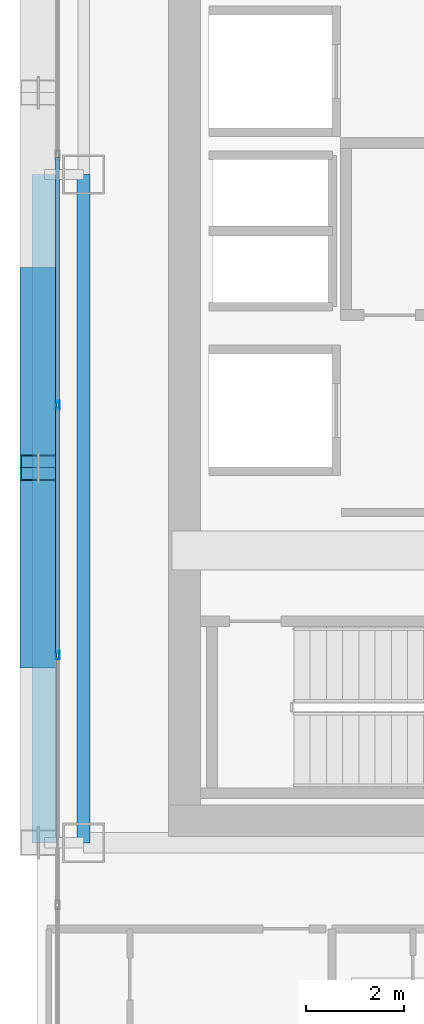
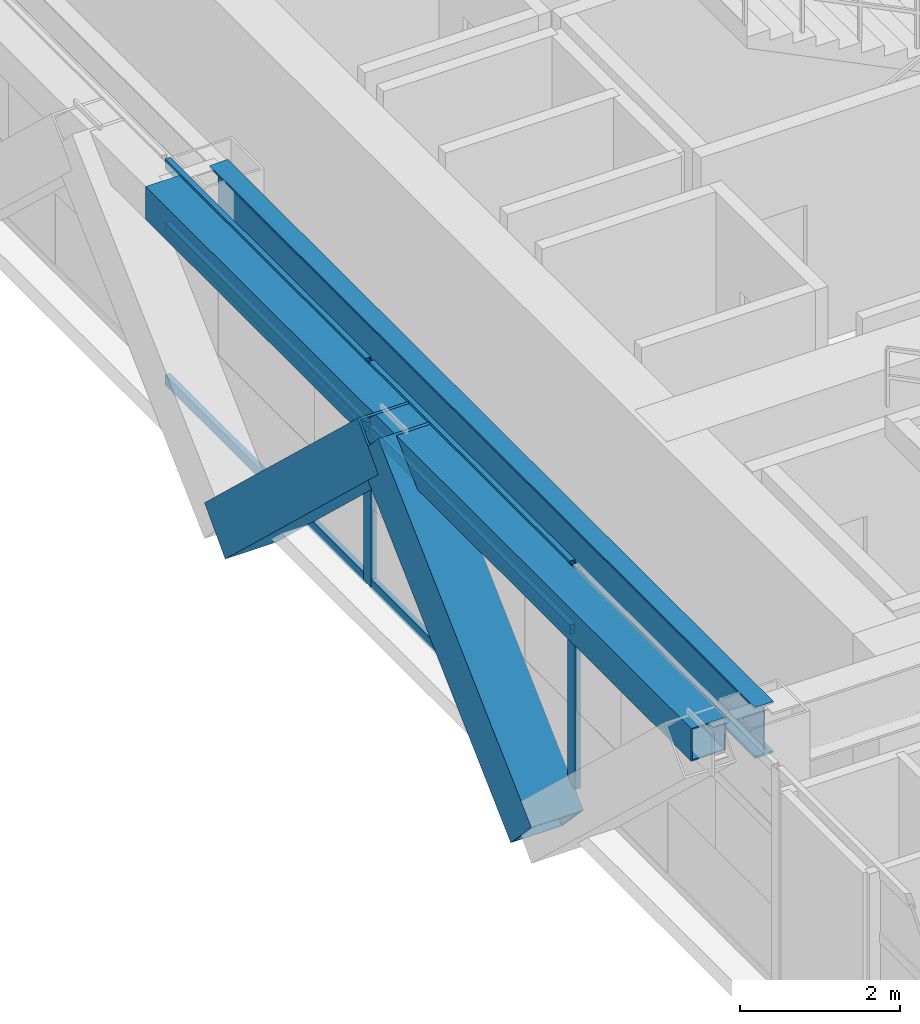
# One storey, part 6 of 35: 10 members, 2 beams, 1 element without a shape of its own.
"""IFC4 building model written with IfcOpenShell, lengths in metres."""

from ifc_helpers import new_model, si_unit, direction, frame, origin, origin_2d, place, context, subcontext, project, spatial, hollow_rectangle, i_section, extrude, source, transform, mapped, material, layer, layer_set, material_profile, profile_set, type_object, element, aggregate, save


model = new_model("IFC4")

# Units and contexts
model_context = context("Model", 3, precision=1e-05, world=origin(), true_north=direction((0.0, 1.0)))
body_context = subcontext(model_context, "Body", "Model", "MODEL_VIEW")
ifc_project = project(units=[si_unit("LENGTHUNIT", "METRE"), si_unit("AREAUNIT", "SQUARE_METRE"), si_unit("VOLUMEUNIT", "CUBIC_METRE"), si_unit("PLANEANGLEUNIT", "RADIAN"), si_unit("MASSUNIT", "GRAM", prefix="KILO")], contexts=[model_context])

# Site, building, storey
site_placement = place(None, origin())
site = spatial("IfcSite", under=ifc_project, at=site_placement, CompositionType="ELEMENT")
building_placement = place(site_placement, origin())
building = spatial("IfcBuilding", under=site, at=building_placement, Name="Ocotamira Hotel", CompositionType="ELEMENT")
storey_placement = place(building_placement, frame((0.0, 0.0, 100.800048828125)))
storey = spatial("IfcBuildingStorey", under=building, at=storey_placement, Name="L24", CompositionType="ELEMENT", Elevation=100.800048828125)

# Beams
ifc_material_1 = material(Name="Steel ASTM A992 Grade 50", Category="steel")
ifc_material_profile_1 = material_profile(ifc_material_1, i_section(OverallWidth=0.26611328125, OverallDepth=0.779052734375, WebThickness=0.0166015625, FlangeThickness=0.030029296875, FilletRadius=0.01806640625, at=origin_2d()), Name="W30X148")
ifc_profile_set_1 = profile_set([ifc_material_profile_1], Name="Steel ASTM A992 Grade 50")
beam_type_1 = type_object("IfcBeamType", Name="BM-GIRD-W30X148", PredefinedType="BEAM", material=ifc_profile_set_1)
shared_shape_1 = source(origin(), body_context, "Body", "SweptSolid", [
    extrude(i_section(OverallWidth=0.26611328125, OverallDepth=0.779052734375, WebThickness=0.0166015625, FlangeThickness=0.030029296875, FilletRadius=0.01806640625, at=origin_2d()), origin(), (0.0, 0.0, 1.0), 13.599853515625),
])
beam_1_placement = place(storey_placement, frame((8.949951171875, 14.550048828125, 2.970458984375), z_axis=(0.0, 1.0, 0.0), x_axis=(-1.0, 0.0, 0.0)))
element("IfcBeam", 1, at=beam_1_placement, inside=storey, type_object=beam_type_1, Name="L24 Beam X8.95 Y14.55-28.15", PredefinedType="BEAM", context=body_context, shape_type="MappedRepresentation", body=[
    mapped(shared_shape_1, transform((0.0, 0.0, 0.0), scale=1.0)),
])
ifc_material_2 = material(Name="Steel ASTM A500 Grade C", Category="steel")
ifc_material_profile_2 = material_profile(ifc_material_2, hollow_rectangle(XDim=0.5, YDim=0.5, WallThickness=0.02001953125, at=origin_2d()), Name="HSS500X500X20")
ifc_profile_set_2 = profile_set([ifc_material_profile_2], Name="Steel ASTM A500 Grade C")
beam_type_2 = type_object("IfcBeamType", Name="BM-SPAN-HSS500", PredefinedType="USERDEFINED", material=ifc_profile_set_2)
shared_shape_2 = source(origin(), body_context, "Body", "SweptSolid", [
    extrude(hollow_rectangle(XDim=0.5, YDim=0.5, WallThickness=0.02001953125, at=origin_2d()), origin(), (0.0, 0.0, 1.0), 13.599853515625),
])
beam_2_placement = place(storey_placement, frame((8.14990234375, 14.550048828125, 3.10986328125), z_axis=(0.0, 1.0, 0.0), x_axis=(-1.0, 0.0, 0.0)))
element("IfcBeam", 2, at=beam_2_placement, inside=storey, type_object=beam_type_2, Name="L24 Edge Spandrel W Y14.55-28.15", ObjectType="SPANDREL", PredefinedType="USERDEFINED", context=body_context, shape_type="MappedRepresentation", body=[
    mapped(shared_shape_2, transform((0.0, 0.0, 0.0), scale=1.0)),
])

# Members
ifc_material_3 = material(Name="Pale-metal coated steel ASTM A913 Grade 65", Category="steel")
ifc_material_profile_3 = material_profile(ifc_material_3, hollow_rectangle(XDim=0.75, YDim=0.75, WallThickness=0.028076171875, at=origin_2d()), Name="BOX750X750X28")
ifc_profile_set_3 = profile_set([ifc_material_profile_3], Name="Pale-metal coated steel ASTM A913 Grade 65")
member_type_1 = type_object("IfcMemberType", Name="MEM-EXO-BOX750", PredefinedType="BRACE", material=ifc_profile_set_3)
shared_shape_3 = source(origin(), body_context, "Body", "SweptSolid", [
    extrude(hollow_rectangle(XDim=0.75, YDim=0.75, WallThickness=0.028076171875, at=origin_2d()), origin(), (0.0, 0.0, 1.0), 5.24658203125),
])
for number, where, z_axis, x_axis, name in (
    (3, (8.030029296875, 18.36669921875, -0.489990234375), (0.0, 0.72746596067, 0.686143772154), (-1.0, 0.0, 0.0), "L24 Exoskeleton Diagrid W0.2"),
    (4, (8.030029296875, 26.0, -0.489990234375), (0.0, -0.72746596067, 0.686143772154), (1.0, 0.0, 0.0), "L24 Exoskeleton Diagrid W1.1"),
):
    element("IfcMember", number, at=place(storey_placement, frame(where, z_axis=z_axis, x_axis=x_axis)), inside=storey, type_object=member_type_1, Name=name, PredefinedType="BRACE", context=body_context, shape_type="MappedRepresentation", body=[
        mapped(shared_shape_3, transform((0.0, 0.0, 0.0), scale=1.0)),
    ])

# Curtain wall, members
ifc_material_4 = material(Name="Anodised pale-metal aluminium and solar glass", Category="aluminium")
ifc_layer = layer(ifc_material_4, 0.179931640625)
ifc_layer_set = layer_set([ifc_layer], Name="Anodised pale-metal aluminium and solar glass")
curtain_wall_type = type_object("IfcCurtainWallType", Name="CW-SYS3-Z2", PredefinedType="NOTDEFINED", material=ifc_layer_set)
curtain_wall_placement = place(storey_placement, origin())
curtain_wall = element("IfcCurtainWall", 5, at=curtain_wall_placement, inside=storey, type_object=curtain_wall_type, Name="L24 Curtain Wall CW-3 CW-L24-W", PredefinedType="NOTDEFINED")
ifc_material_5 = material(Name="Anodised pale-metal aluminium 6063-T6", Category="aluminium")
ifc_material_profile_4 = material_profile(ifc_material_5, hollow_rectangle(XDim=0.074951171875, YDim=0.14990234375, WallThickness=0.006103515625, at=origin_2d()), Name="HSS150X75X6")
ifc_profile_set_4 = profile_set([ifc_material_profile_4], Name="Anodised pale-metal aluminium 6063-T6")
member_type_2 = type_object("IfcMemberType", Name="CWT-150X75", PredefinedType="USERDEFINED", material=ifc_profile_set_4)
shared_shape_4 = source(origin(), body_context, "Body", "SweptSolid", [
    extrude(hollow_rectangle(XDim=0.074951171875, YDim=0.14990234375, WallThickness=0.006103515625, at=origin_2d()), origin(), (0.0, 0.0, 1.0), 5.005859375),
])
member_1_placement = place(storey_placement, frame((8.419921875, 18.411376953125, 0.037353515625), z_axis=(0.0, 1.0, 0.0), x_axis=(-1.0, 0.0, 0.0)))
member_1 = element("IfcMember", 6, at=member_1_placement, type_object=member_type_2, Name="CW-3 transom 3.1", ObjectType="TRANSOM", PredefinedType="USERDEFINED", context=body_context, shape_type="MappedRepresentation", body=[
    mapped(shared_shape_4, transform((0.0, 0.0, 0.0), scale=1.0)),
])
member_2_placement = place(storey_placement, frame((8.419921875, 18.411376953125, 2.349853515625), z_axis=(0.0, 1.0, 0.0), x_axis=(-1.0, 0.0, 0.0)))
member_2 = element("IfcMember", 7, at=member_2_placement, type_object=member_type_2, Name="CW-3 transom 3.2", ObjectType="TRANSOM", PredefinedType="USERDEFINED", context=body_context, shape_type="MappedRepresentation", body=[
    mapped(shared_shape_4, transform((0.0, 0.0, 0.0), scale=1.0)),
])
member_3_placement = place(storey_placement, frame((8.419921875, 18.411376953125, 3.322509765625), z_axis=(0.0, 1.0, 0.0), x_axis=(-1.0, 0.0, 0.0)))
member_3 = element("IfcMember", 8, at=member_3_placement, type_object=member_type_2, Name="CW-3 transom 3.3", ObjectType="TRANSOM", PredefinedType="USERDEFINED", context=body_context, shape_type="MappedRepresentation", body=[
    mapped(shared_shape_4, transform((0.0, 0.0, 0.0), scale=1.0)),
])
member_4_placement = place(storey_placement, frame((8.419921875, 23.4970703125, 0.037353515625), z_axis=(0.0, 1.0, 0.0), x_axis=(-1.0, 0.0, 0.0)))
member_4 = element("IfcMember", 9, at=member_4_placement, type_object=member_type_2, Name="CW-3 transom 4.1", ObjectType="TRANSOM", PredefinedType="USERDEFINED", context=body_context, shape_type="MappedRepresentation", body=[
    mapped(shared_shape_4, transform((0.0, 0.0, 0.0), scale=1.0)),
])
member_5_placement = place(storey_placement, frame((8.419921875, 23.4970703125, 2.349853515625), z_axis=(0.0, 1.0, 0.0), x_axis=(-1.0, 0.0, 0.0)))
member_5 = element("IfcMember", 10, at=member_5_placement, type_object=member_type_2, Name="CW-3 transom 4.2", ObjectType="TRANSOM", PredefinedType="USERDEFINED", context=body_context, shape_type="MappedRepresentation", body=[
    mapped(shared_shape_4, transform((0.0, 0.0, 0.0), scale=1.0)),
])
member_6_placement = place(storey_placement, frame((8.419921875, 23.4970703125, 3.322509765625), z_axis=(0.0, 1.0, 0.0), x_axis=(-1.0, 0.0, 0.0)))
member_6 = element("IfcMember", 11, at=member_6_placement, type_object=member_type_2, Name="CW-3 transom 4.3", ObjectType="TRANSOM", PredefinedType="USERDEFINED", context=body_context, shape_type="MappedRepresentation", body=[
    mapped(shared_shape_4, transform((0.0, 0.0, 0.0), scale=1.0)),
])
ifc_material_profile_5 = material_profile(ifc_material_5, hollow_rectangle(XDim=0.080078125, YDim=0.179931640625, WallThickness=0.006103515625, at=origin_2d()), Name="HSS180X80X6")
ifc_profile_set_5 = profile_set([ifc_material_profile_5], Name="Anodised pale-metal aluminium 6063-T6")
member_type_3 = type_object("IfcMemberType", Name="CWM-180X75", PredefinedType="MULLION", material=ifc_profile_set_5)
shared_shape_5 = source(origin(), body_context, "Body", "SweptSolid", [
    extrude(hollow_rectangle(XDim=0.080078125, YDim=0.179931640625, WallThickness=0.006103515625, at=origin_2d()), origin(), (0.0, 0.0, 1.0), 3.35986328125),
])
member_7_placement = place(storey_placement, frame((8.419921875, 18.371337890625, 0.0), z_axis=(0.0, 0.0, 1.0), x_axis=(-1.0, 0.0, 0.0)))
member_7 = element("IfcMember", 12, at=member_7_placement, type_object=member_type_3, Name="CW-3 mullion 3", PredefinedType="MULLION", context=body_context, shape_type="MappedRepresentation", body=[
    mapped(shared_shape_5, transform((0.0, 0.0, 0.0), scale=1.0)),
])
member_8_placement = place(storey_placement, frame((8.419921875, 23.45703125, 0.0), z_axis=(0.0, 0.0, 1.0), x_axis=(-1.0, 0.0, 0.0)))
member_8 = element("IfcMember", 13, at=member_8_placement, type_object=member_type_3, Name="CW-3 mullion 4", PredefinedType="MULLION", context=body_context, shape_type="MappedRepresentation", body=[
    mapped(shared_shape_5, transform((0.0, 0.0, 0.0), scale=1.0)),
])
aggregate(curtain_wall, [member_7, member_8, member_1, member_2, member_3, member_4, member_5, member_6])

save(model, "model.ifc")
